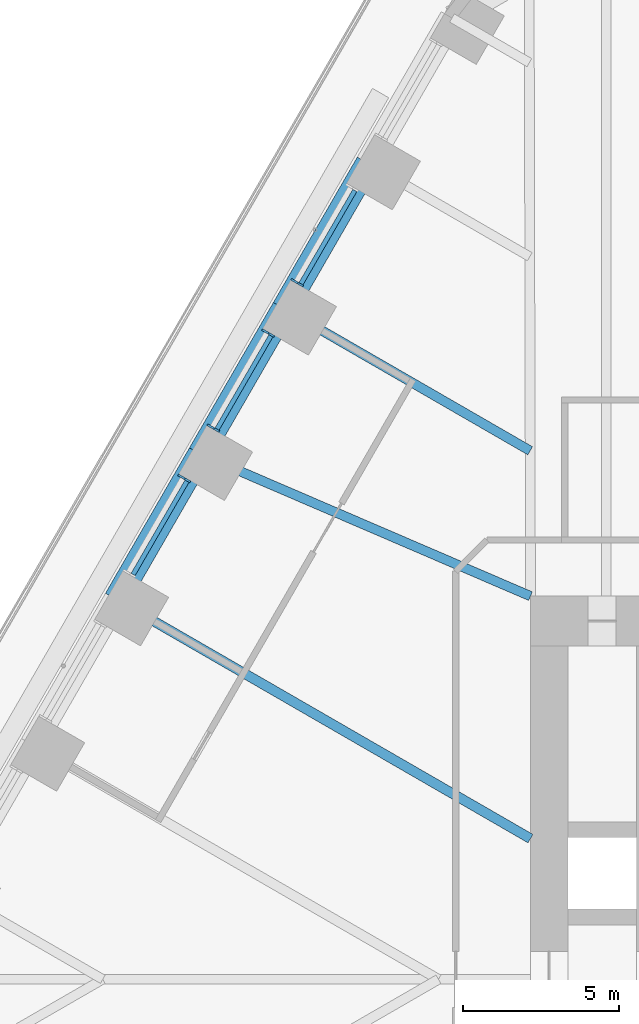
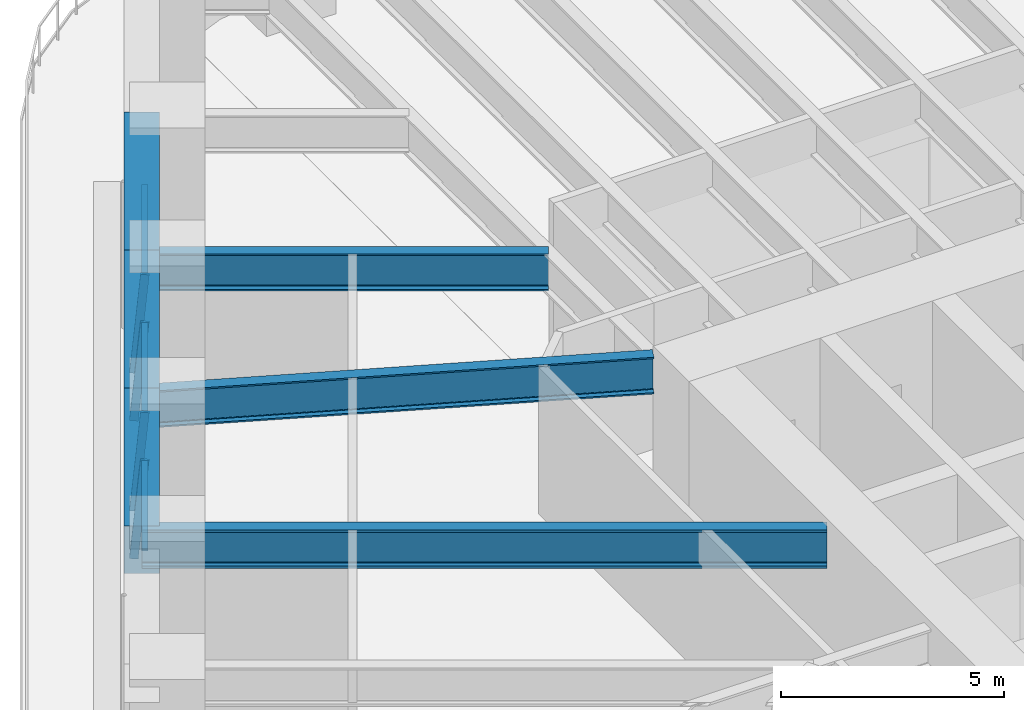
# One storey, part 8 of 24: 7 members, 6 beams, 3 elements without a shape of their own.
"""IFC4 building model written with IfcOpenShell, lengths in metres."""

from ifc_helpers import new_model, si_unit, direction, frame, origin, origin_2d, place, context, subcontext, project, spatial, rectangle, i_section, extrude, material, material_profile, profile_set, type_object, element, aggregate, save


model = new_model("IFC4")

# Units and contexts
model_context = context("Model", 3, precision=1e-05, world=origin(), true_north=direction((0.0, 1.0)))
body_context = subcontext(model_context, "Body", "Model", "MODEL_VIEW")
ifc_project = project(units=[si_unit("LENGTHUNIT", "METRE"), si_unit("AREAUNIT", "SQUARE_METRE"), si_unit("VOLUMEUNIT", "CUBIC_METRE"), si_unit("PLANEANGLEUNIT", "RADIAN"), si_unit("MASSUNIT", "GRAM", prefix="KILO")], contexts=[model_context])

# Site, building, storey
site_placement = place(None, origin())
site = spatial("IfcSite", under=ifc_project, at=site_placement, CompositionType="ELEMENT")
building_placement = place(site_placement, origin())
building = spatial("IfcBuilding", under=site, at=building_placement, Name="Tarfa Lantern Tower", CompositionType="ELEMENT")
storey_placement = place(building_placement, frame((0.0, 0.0, 90.699951171875)))
storey = spatial("IfcBuildingStorey", under=building, at=storey_placement, Name="L20", CompositionType="ELEMENT", Elevation=90.699951171875)

# Curtain wall, member
ifc_material_1 = material(Name="Aluminium framed curtain wall", Category="aluminium")
curtain_wall_type = type_object("IfcCurtainWallType", Name="CW1 CANTED GLAZING LOW ZONE 2700", PredefinedType="USERDEFINED", material=ifc_material_1)
curtain_wall_1_placement = place(storey_placement, origin())
curtain_wall_1 = element("IfcCurtainWall", 1, at=curtain_wall_1_placement, inside=storey, type_object=curtain_wall_type, Name="CW1 NW L20", ObjectType="CURTAIN WALL", PredefinedType="USERDEFINED")
ifc_material_2 = material(Name="Aluminium mullion", Category="aluminium")
ifc_material_profile_1 = material_profile(ifc_material_2, rectangle(XDim=0.06494140625, YDim=0.199951171875, at=origin_2d()), Name="AL MULLION 65x200")
ifc_profile_set_1 = profile_set([ifc_material_profile_1], Name="Aluminium mullion")
member_type_1 = type_object("IfcMemberType", Name="CWM1 MULLION 65x200", PredefinedType="MULLION", material=ifc_profile_set_1)
member_1_placement = place(storey_placement, frame((-26.19775390625, 22.42431640625, 0.0), z_axis=(0.07986442134, -0.046099868913, 0.99573916077), x_axis=(0.499919672301, 0.866071776036, 0.0)))
member_1 = element("IfcMember", 2, at=member_1_placement, type_object=member_type_1, Name="CW1 mullion 2", PredefinedType="MULLION", context=body_context, shape_type="SweptSolid", body=[
    extrude(rectangle(XDim=0.06494140625, YDim=0.199951171875, at=origin_2d()), origin(), (0.0, 0.0, 1.0), 2.71142578125),
])

# Curtain wall, members
curtain_wall_2_placement = place(storey_placement, origin())
curtain_wall_2 = element("IfcCurtainWall", 3, at=curtain_wall_2_placement, inside=storey, type_object=curtain_wall_type, Name="CW1 NW L20", ObjectType="CURTAIN WALL", PredefinedType="USERDEFINED")
member_2_placement = place(storey_placement, frame((-27.130126953125, 20.80908203125, 0.0), z_axis=(0.079774955866, -0.04610020023, 0.995746317068), x_axis=(0.500342721131, 0.865827443207, 0.0)))
member_2 = element("IfcMember", 4, at=member_2_placement, type_object=member_type_1, Name="CW1 mullion 1", PredefinedType="MULLION", context=body_context, shape_type="SweptSolid", body=[
    extrude(rectangle(XDim=0.06494140625, YDim=0.199951171875, at=origin_2d()), origin(), (0.0, 0.0, 1.0), 2.71142578125),
])
member_3_placement = place(storey_placement, frame((-28.89208984375, 17.757568359375, 0.0), z_axis=(0.07986442134, -0.046099868913, 0.99573916077), x_axis=(0.499919672301, 0.866071776036, 0.0)))
member_3 = element("IfcMember", 5, at=member_3_placement, type_object=member_type_1, Name="CW1 mullion 2", PredefinedType="MULLION", context=body_context, shape_type="SweptSolid", body=[
    extrude(rectangle(XDim=0.06494140625, YDim=0.199951171875, at=origin_2d()), origin(), (0.0, 0.0, 1.0), 2.71142578125),
])

# Curtain wall, member
curtain_wall_3_placement = place(storey_placement, origin())
curtain_wall_3 = element("IfcCurtainWall", 6, at=curtain_wall_3_placement, inside=storey, type_object=curtain_wall_type, Name="CW1 NW L20", ObjectType="CURTAIN WALL", PredefinedType="USERDEFINED")
member_4_placement = place(storey_placement, frame((-29.824462890625, 16.142333984375, 0.0), z_axis=(0.07986442134, -0.046099868913, 0.99573916077), x_axis=(0.499919672301, 0.866071776036, 0.0)))
member_4 = element("IfcMember", 7, at=member_4_placement, type_object=member_type_1, Name="CW1 mullion 1", PredefinedType="MULLION", context=body_context, shape_type="SweptSolid", body=[
    extrude(rectangle(XDim=0.06494140625, YDim=0.199951171875, at=origin_2d()), origin(), (0.0, 0.0, 1.0), 2.71142578125),
])

# Member
ifc_material_3 = material(Name="Aluminium transom", Category="aluminium")
ifc_material_profile_2 = material_profile(ifc_material_3, rectangle(XDim=0.14990234375, YDim=0.06494140625, at=origin_2d()), Name="AL TRANSOM 150x65")
ifc_profile_set_2 = profile_set([ifc_material_profile_2], Name="Aluminium transom")
member_type_2 = type_object("IfcMemberType", Name="CWT1 TRANSOM 150x65", PredefinedType="USERDEFINED", material=ifc_profile_set_2)
member_5_placement = place(storey_placement, frame((-24.23828125, 25.32421875, 2.66748046875), z_axis=(-0.49997297598, -0.866041005548, 0.0), x_axis=(0.866041005548, -0.49997297598, 0.0)))
member_5 = element("IfcMember", 8, at=member_5_placement, type_object=member_type_2, Name="CW1 transom 1.2", ObjectType="TRANSOM", PredefinedType="USERDEFINED", context=body_context, shape_type="SweptSolid", body=[
    extrude(rectangle(XDim=0.14990234375, YDim=0.06494140625, at=origin_2d()), origin(), (0.0, 0.0, 1.0), 3.458740234375),
])

aggregate(curtain_wall_1, [member_1, member_5])

member_6_placement = place(storey_placement, frame((-26.9326171875, 20.657470703125, 2.66748046875), z_axis=(-0.49997297598, -0.866041005548, 0.0), x_axis=(0.866041005548, -0.49997297598, 0.0)))
member_6 = element("IfcMember", 9, at=member_6_placement, type_object=member_type_2, Name="CW1 transom 1.2", ObjectType="TRANSOM", PredefinedType="USERDEFINED", context=body_context, shape_type="SweptSolid", body=[
    extrude(rectangle(XDim=0.14990234375, YDim=0.06494140625, at=origin_2d()), origin(), (0.0, 0.0, 1.0), 3.458740234375),
])

aggregate(curtain_wall_2, [member_2, member_3, member_6])

member_7_placement = place(storey_placement, frame((-29.626953125, 15.99072265625, 2.66748046875), z_axis=(-0.500003541824, -0.866023358902, 0.0), x_axis=(0.866023358902, -0.500003541824, 0.0)))
member_7 = element("IfcMember", 10, at=member_7_placement, type_object=member_type_2, Name="CW1 transom 1.2", ObjectType="TRANSOM", PredefinedType="USERDEFINED", context=body_context, shape_type="SweptSolid", body=[
    extrude(rectangle(XDim=0.14990234375, YDim=0.06494140625, at=origin_2d()), origin(), (0.0, 0.0, 1.0), 3.45849609375),
])

aggregate(curtain_wall_3, [member_4, member_7])

# Beams
ifc_material_4 = material(Name="Concrete C80/95", Category="concrete")
ifc_material_profile_3 = material_profile(ifc_material_4, rectangle(XDim=0.800048828125, YDim=1.300048828125, at=origin_2d()), Name="RC 800x1300")
ifc_profile_set_3 = profile_set([ifc_material_profile_3], Name="Concrete C80/95")
beam_type_1 = type_object("IfcBeamType", Name="EB1 RC 800x1300", PredefinedType="SPANDREL", material=ifc_profile_set_3)
beam_1_placement = place(storey_placement, frame((-23.813720703125, 26.193359375, 3.35009765625), z_axis=(-0.499998287579, -0.866026392449, 0.0), x_axis=(0.866026392449, -0.499998287579, 0.0)))
element("IfcBeam", 11, at=beam_1_placement, inside=storey, type_object=beam_type_1, Name="Edge beam NW1", PredefinedType="SPANDREL", context=body_context, shape_type="SweptSolid", body=[
    extrude(rectangle(XDim=0.800048828125, YDim=1.300048828125, at=origin_2d()), origin(), (0.0, 0.0, 1.0), 5.388671875),
])
beam_2_placement = place(storey_placement, frame((-26.508056640625, 21.526611328125, 3.35009765625), z_axis=(-0.500017906299, -0.866015065331, 0.0), x_axis=(0.866015065331, -0.500017906299, 0.0)))
element("IfcBeam", 12, at=beam_2_placement, inside=storey, type_object=beam_type_1, Name="Edge beam NW2", PredefinedType="SPANDREL", context=body_context, shape_type="SweptSolid", body=[
    extrude(rectangle(XDim=0.800048828125, YDim=1.300048828125, at=origin_2d()), origin(), (0.0, 0.0, 1.0), 5.388427734375),
])
beam_3_placement = place(storey_placement, frame((-29.202392578125, 16.860107421875, 3.35009765625), z_axis=(-0.499998287579, -0.866026392449, 0.0), x_axis=(0.866026392449, -0.499998287579, 0.0)))
element("IfcBeam", 13, at=beam_3_placement, inside=storey, type_object=beam_type_1, Name="Edge beam NW3", PredefinedType="SPANDREL", context=body_context, shape_type="SweptSolid", body=[
    extrude(rectangle(XDim=0.800048828125, YDim=1.300048828125, at=origin_2d()), origin(), (0.0, 0.0, 1.0), 5.388671875),
])
ifc_material_5 = material(Name="Steel S460M", Category="steel")
ifc_material_profile_4 = material_profile(ifc_material_5, i_section(OverallWidth=0.302001953125, OverallDepth=1.008056640625, WebThickness=0.02099609375, FlangeThickness=0.0400390625, FilletRadius=0.030029296875, at=origin_2d()), Name="UB1016x305x349")
ifc_profile_set_4 = profile_set([ifc_material_profile_4], Name="Steel S460M")
beam_type_2 = type_object("IfcBeamType", Name="UB1016x305x349", PredefinedType="BEAM", material=ifc_profile_set_4)
beam_4_placement = place(storey_placement, frame((-26.508056640625, 21.526611328125, 3.49609375), z_axis=(0.866035355799, -0.49998276221, 0.0), x_axis=(0.49998276221, 0.866035355799, 0.0)))
element("IfcBeam", 14, at=beam_4_placement, inside=storey, type_object=beam_type_2, Name="Floor beam NW2", PredefinedType="BEAM", context=body_context, shape_type="SweptSolid", body=[
    extrude(i_section(OverallWidth=0.302001953125, OverallDepth=1.008056640625, WebThickness=0.02099609375, FlangeThickness=0.0400390625, FilletRadius=0.030029296875, at=origin_2d()), origin(), (0.0, 0.0, 1.0), 9.119873046875),
])
beam_5_placement = place(storey_placement, frame((-29.202392578125, 16.860107421875, 3.49609375), z_axis=(0.918635483867, -0.395106122175, 0.0), x_axis=(0.395106122175, 0.918635483867, 0.0)))
element("IfcBeam", 15, at=beam_5_placement, inside=storey, type_object=beam_type_2, Name="Floor beam NW3", PredefinedType="BEAM", context=body_context, shape_type="SweptSolid", body=[
    extrude(i_section(OverallWidth=0.302001953125, OverallDepth=1.008056640625, WebThickness=0.02099609375, FlangeThickness=0.0400390625, FilletRadius=0.030029296875, at=origin_2d()), origin(), (0.0, 0.0, 1.0), 11.541259765625),
])
ifc_material_profile_5 = material_profile(ifc_material_5, i_section(OverallWidth=0.314208984375, OverallDepth=1.055908203125, WebThickness=0.035888671875, FlangeThickness=0.06396484375, FilletRadius=0.030029296875, at=origin_2d()), Name="UB1016x305x584")
ifc_profile_set_5 = profile_set([ifc_material_profile_5], Name="Steel S460M")
beam_type_3 = type_object("IfcBeamType", Name="UB1016x305x584", PredefinedType="BEAM", material=ifc_profile_set_5)
beam_6_placement = place(storey_placement, frame((-31.896728515625, 12.193359375, 3.47216796875), z_axis=(0.866026971665, -0.499997284341, 0.0), x_axis=(0.499997284341, 0.866026971665, 0.0)))
element("IfcBeam", 16, at=beam_6_placement, inside=storey, type_object=beam_type_3, Name="Floor beam NW4", PredefinedType="BEAM", context=body_context, shape_type="SweptSolid", body=[
    extrude(i_section(OverallWidth=0.314208984375, OverallDepth=1.055908203125, WebThickness=0.035888671875, FlangeThickness=0.06396484375, FilletRadius=0.030029296875, at=origin_2d()), origin(), (0.0, 0.0, 1.0), 15.353515625),
])

save(model, "model.ifc")
